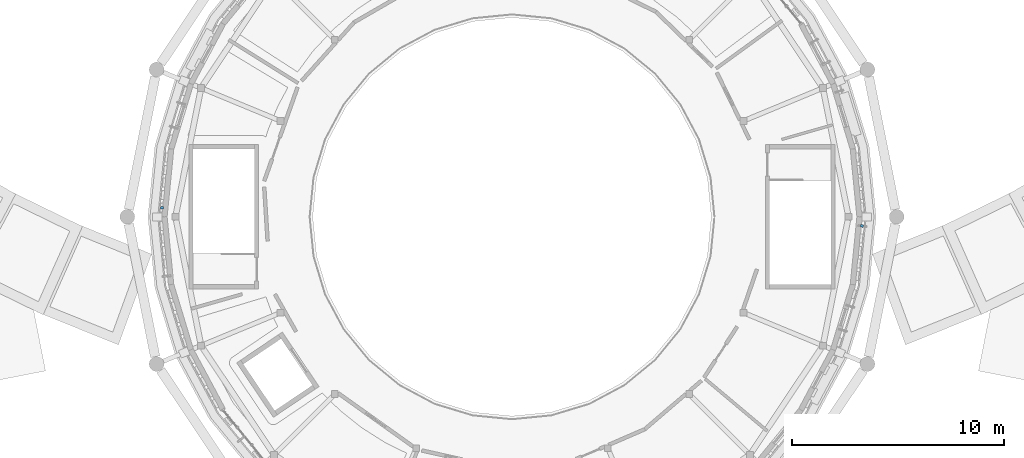
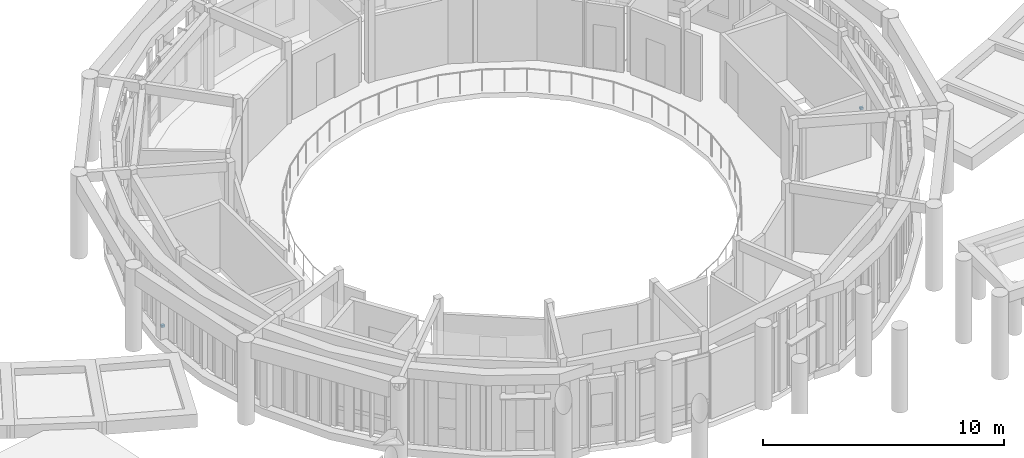
# One storey, part 61 of 80: 2 discrete accessories.
"""IFC4 building model written with IfcOpenShell, lengths in metres."""

from ifc_helpers import new_model, si_unit, direction, frame, origin, origin_2d, place, context, subcontext, project, spatial, rectangle, extrude, material, type_object, element, save


model = new_model("IFC4")

# Units and contexts
model_context = context("Model", 3, precision=1e-05, world=origin(), true_north=direction((0.0, 1.0)))
body_context = subcontext(model_context, "Body", "Model", "MODEL_VIEW")
ifc_project = project(units=[si_unit("LENGTHUNIT", "METRE"), si_unit("AREAUNIT", "SQUARE_METRE"), si_unit("VOLUMEUNIT", "CUBIC_METRE"), si_unit("PLANEANGLEUNIT", "RADIAN"), si_unit("MASSUNIT", "GRAM", prefix="KILO")], contexts=[model_context])

# Site, building, storey
site_placement = place(None, origin())
site = spatial("IfcSite", under=ifc_project, at=site_placement, CompositionType="ELEMENT")
building_placement = place(site_placement, origin())
building = spatial("IfcBuilding", under=site, at=building_placement, Name="Aldenvaro Health Centre", CompositionType="ELEMENT")
storey_placement = place(building_placement, frame((0.0, 0.0, 4.550048828125)))
storey = spatial("IfcBuildingStorey", under=building, at=storey_placement, Name="L01", CompositionType="ELEMENT", Elevation=4.550048828125)

# Discrete accessories
ifc_material = material(Name="Stainless Steel AISI 316", Category="steel")
discrete_accessory_type = type_object("IfcDiscreteAccessoryType", Name="ACC-BRK-01", PredefinedType="BRACKET", material=ifc_material)
for number, where, z_axis, x_axis, name in (
    (1, (103.506103515625, 19.568115234375, 0.18994140625), (0.0, 0.0, 1.0), (-0.097994340783, -0.995186971968, 0.0), "D1 L01 stainless fin bracket 1"),
    (2, (70.493896484375, 20.431884765625, 0.18994140625), (0.0, 0.0, 1.0), (0.097994340783, 0.995186971968, 0.0), "D1 L01 stainless fin bracket 17"),
):
    element("IfcDiscreteAccessory", number, at=place(storey_placement, frame(where, z_axis=z_axis, x_axis=x_axis)), inside=storey, type_object=discrete_accessory_type, Name=name, PredefinedType="BRACKET", context=body_context, shape_type="SweptSolid", body=[
        extrude(rectangle(XDim=0.1201171875, YDim=0.139892578125, at=origin_2d()), origin(), (0.0, 0.0, 1.0), 0.1201171875),
    ])

save(model, "model.ifc")
